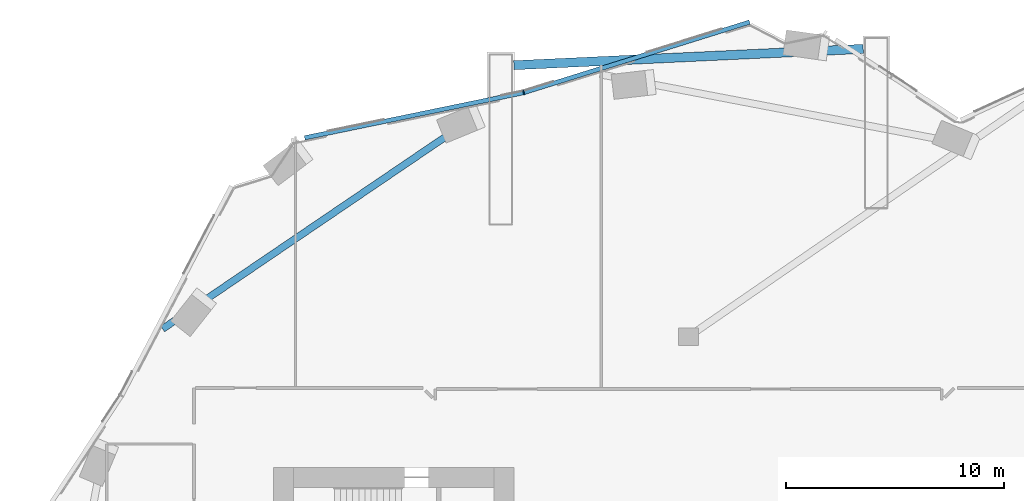
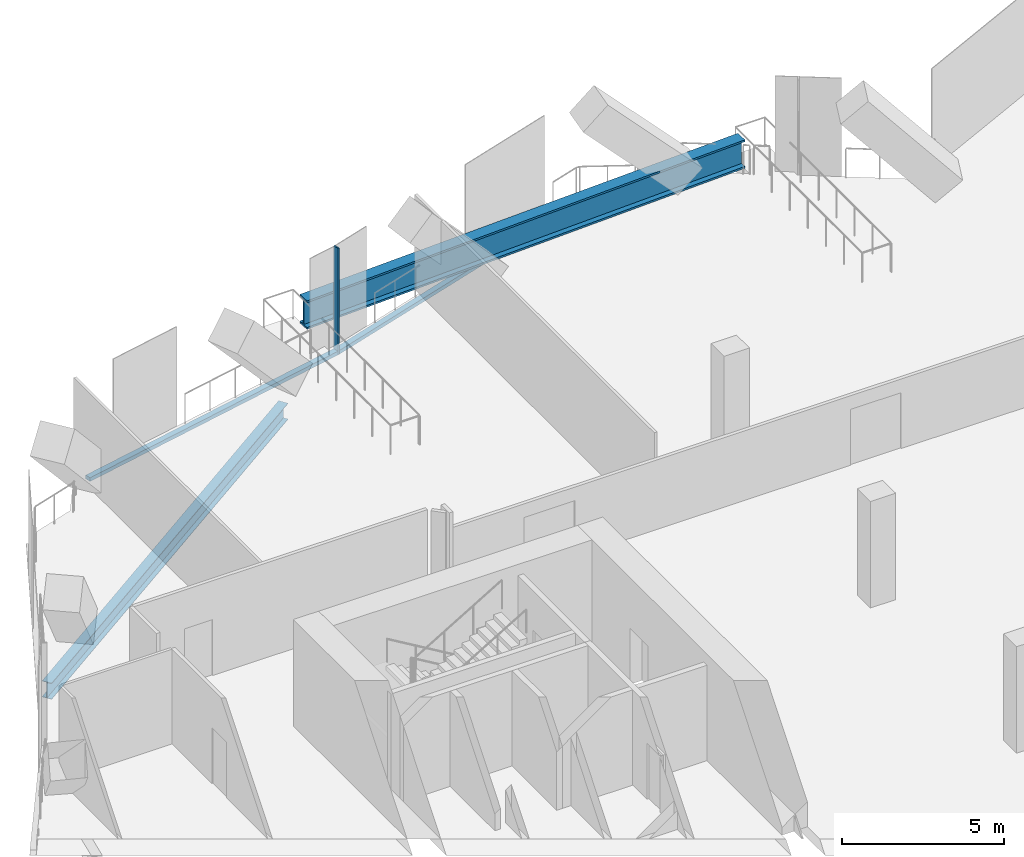
# One storey, part 9 of 26: 3 members, 2 beams, 2 elements without a shape of their own.
"""IFC4 building model written with IfcOpenShell, lengths in metres."""

from ifc_helpers import new_model, si_unit, direction, frame, origin, origin_2d, place, context, subcontext, project, spatial, rectangle, i_section, extrude, material, material_profile, profile_set, type_object, element, aggregate, save


model = new_model("IFC4")

# Units and contexts
model_context = context("Model", 3, precision=1e-05, world=origin(), true_north=direction((0.0, 1.0)))
body_context = subcontext(model_context, "Body", "Model", "MODEL_VIEW")
ifc_project = project(units=[si_unit("LENGTHUNIT", "METRE"), si_unit("AREAUNIT", "SQUARE_METRE"), si_unit("VOLUMEUNIT", "CUBIC_METRE"), si_unit("PLANEANGLEUNIT", "RADIAN"), si_unit("MASSUNIT", "GRAM", prefix="KILO")], contexts=[model_context])

# Site, building, storey
site_placement = place(None, origin())
site = spatial("IfcSite", under=ifc_project, at=site_placement, CompositionType="ELEMENT")
building_placement = place(site_placement, origin())
building = spatial("IfcBuilding", under=site, at=building_placement, Name="Orlundy Tower", CompositionType="ELEMENT")
storey_placement = place(building_placement, frame((0.0, 0.0, 249.5)))
storey = spatial("IfcBuildingStorey", under=building, at=storey_placement, Name="L66", CompositionType="ELEMENT", Elevation=249.5)

# Beam
ifc_material_1 = material(Name="Steel ASTM A992 Gr 50", Category="steel")
ifc_material_profile_1 = material_profile(ifc_material_1, i_section(OverallWidth=0.32373046875, OverallDepth=0.611083984375, WebThickness=0.0126953125, FlangeThickness=0.01904296875, at=origin_2d()), Name="W24X104")
ifc_profile_set_1 = profile_set([ifc_material_profile_1], Name="Steel ASTM A992 Gr 50")
beam_type_1 = type_object("IfcBeamType", Name="CANTILEVER GIRDER beam W24X104", PredefinedType="BEAM", material=ifc_profile_set_1)
beam_1_placement = place(storey_placement, frame((-24.090087890625, 18.3544921875, -0.7255859375), z_axis=(0.827400828284, 0.561611849372, 0.0), x_axis=(-0.561611849372, 0.827400828284, 0.0)))
element("IfcBeam", 1, at=beam_1_placement, inside=storey, type_object=beam_type_1, Name="Cantilever girder C-H21 L66", PredefinedType="BEAM", context=body_context, shape_type="SweptSolid", body=[
    extrude(i_section(OverallWidth=0.32373046875, OverallDepth=0.611083984375, WebThickness=0.0126953125, FlangeThickness=0.01904296875, at=origin_2d()), origin(), (0.0, 0.0, 1.0), 16.704833984375),
])

# Curtain wall, member
ifc_material_2 = material(Name="Aluminium bronze anodised", Category="aluminium")
curtain_wall_type = type_object("IfcCurtainWallType", Name="CW5 wall", PredefinedType="NOTDEFINED", material=ifc_material_2)
curtain_wall_1_placement = place(storey_placement, origin())
curtain_wall_1 = element("IfcCurtainWall", 2, at=curtain_wall_1_placement, inside=storey, type_object=curtain_wall_type, Name="CW5 run 011", PredefinedType="NOTDEFINED")
ifc_material_3 = material(Name="Aluminium bronze anodised", Category="aluminium")
ifc_material_profile_2 = material_profile(ifc_material_3, rectangle(XDim=0.199951171875, YDim=0.050048828125, at=origin_2d()), Name="CW5 mullion 50x200")
ifc_profile_set_2 = profile_set([ifc_material_profile_2], Name="Aluminium bronze anodised")
member_type_1 = type_object("IfcMemberType", Name="CW5 mullion 50x200", PredefinedType="MULLION", material=ifc_profile_set_2)
member_1_placement = place(storey_placement, frame((-7.547119140625, 29.176025390625, -0.419921875), z_axis=(0.0, 0.0, 1.0), x_axis=(-0.250400921192, 0.968142230597, 0.0)))
member_1 = element("IfcMember", 3, at=member_1_placement, type_object=member_type_1, Name="CW5 mullion 17", PredefinedType="MULLION", context=body_context, shape_type="SweptSolid", body=[
    extrude(rectangle(XDim=0.199951171875, YDim=0.050048828125, at=origin_2d()), origin(), (0.0, 0.0, 1.0), 4.0),
])

curtain_wall_2_placement = place(storey_placement, origin())
curtain_wall_2 = element("IfcCurtainWall", 4, at=curtain_wall_2_placement, inside=storey, type_object=curtain_wall_type, Name="CW5 run 010", PredefinedType="NOTDEFINED")
ifc_material_4 = material(Name="Aluminium bronze anodised", Category="aluminium")
ifc_material_profile_3 = material_profile(ifc_material_4, rectangle(XDim=0.199951171875, YDim=0.139892578125, at=origin_2d()), Name="CW5 transom 200x140")
ifc_profile_set_3 = profile_set([ifc_material_profile_3], Name="Aluminium bronze anodised")
member_type_2 = type_object("IfcMemberType", Name="CW5 transom 200x140", PredefinedType="USERDEFINED", material=ifc_profile_set_3)
member_2_placement = place(storey_placement, frame((-17.580810546875, 27.1044921875, -0.35009765625), z_axis=(0.979347272885, 0.202185358254, 0.0), x_axis=(-0.202185358254, 0.979347272885, 0.0)))
member_2 = element("IfcMember", 5, at=member_2_placement, type_object=member_type_2, Name="CW5 transom", ObjectType="TRANSOM", PredefinedType="USERDEFINED", context=body_context, shape_type="SweptSolid", body=[
    extrude(rectangle(XDim=0.199951171875, YDim=0.139892578125, at=origin_2d()), origin(), (0.0, 0.0, 1.0), 10.220458984375),
])
aggregate(curtain_wall_2, [member_2])

# Member
member_3_placement = place(storey_placement, frame((-7.523193359375, 29.183349609375, -0.35009765625), z_axis=(0.95456470649, 0.298003726695, 0.0), x_axis=(-0.298003726695, 0.95456470649, 0.0)))
member_3 = element("IfcMember", 6, at=member_3_placement, type_object=member_type_2, Name="CW5 transom", ObjectType="TRANSOM", PredefinedType="USERDEFINED", context=body_context, shape_type="SweptSolid", body=[
    extrude(rectangle(XDim=0.199951171875, YDim=0.139892578125, at=origin_2d()), origin(), (0.0, 0.0, 1.0), 10.813232421875),
])

aggregate(curtain_wall_1, [member_1, member_3])

# Beam
ifc_material_5 = material(Name="Steel ASTM A992 Gr 50", Category="steel")
ifc_material_profile_4 = material_profile(ifc_material_5, i_section(OverallWidth=0.41650390625, OverallDepth=1.068115234375, WebThickness=0.0390625, FlangeThickness=0.070068359375, at=origin_2d()), Name="W40X503")
ifc_profile_set_4 = profile_set([ifc_material_profile_4], Name="Steel ASTM A992 Gr 50")
beam_type_2 = type_object("IfcBeamType", Name="PORTAL GATE beam W40X503", PredefinedType="BEAM", material=ifc_profile_set_4)
beam_2_placement = place(storey_placement, frame((-8.0, 30.429931640625, 0.5341796875), z_axis=(0.998906024145, 0.046762751497, 0.0), x_axis=(-0.046762751497, 0.998906024145, 0.0)))
element("IfcBeam", 7, at=beam_2_placement, inside=storey, type_object=beam_type_2, Name="Portal gate sill beam N", PredefinedType="BEAM", context=body_context, shape_type="SweptSolid", body=[
    extrude(i_section(OverallWidth=0.41650390625, OverallDepth=1.068115234375, WebThickness=0.0390625, FlangeThickness=0.070068359375, at=origin_2d()), origin(), (0.0, 0.0, 1.0), 16.017578125),
])

save(model, "model.ifc")
